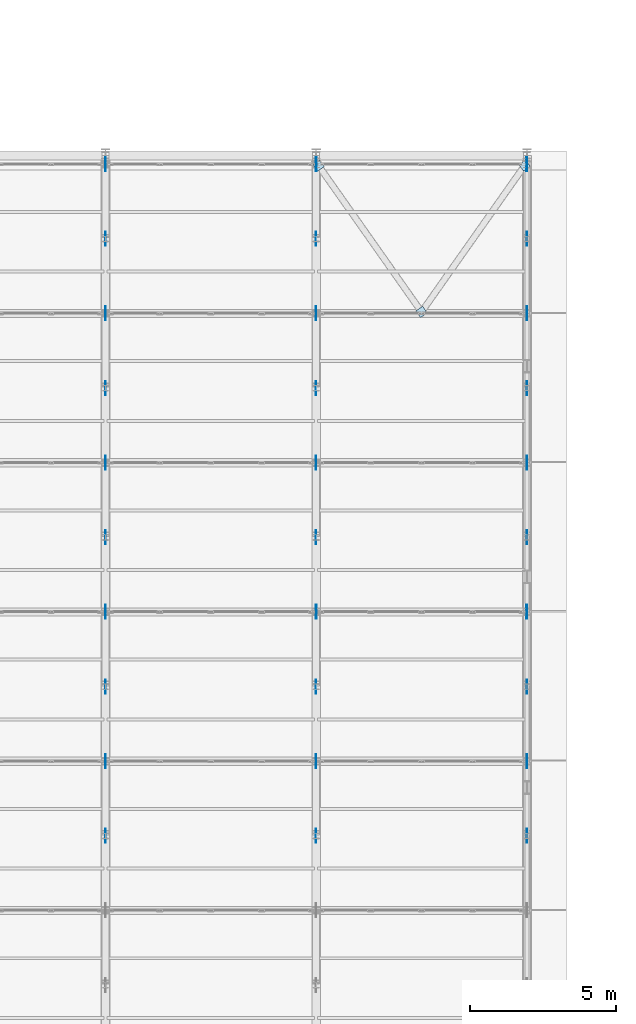
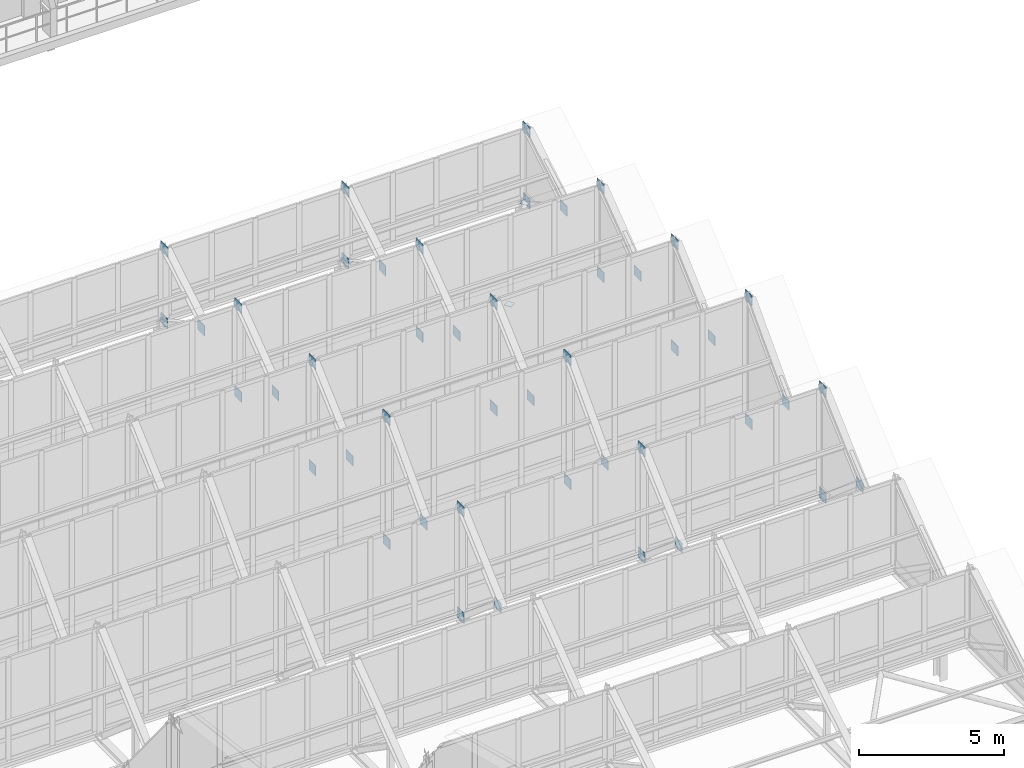
# One storey, part 111 of 157: 48 plates.
"""IFC4 building model written with IfcOpenShell, lengths in metres."""

from ifc_helpers import new_model, si_unit, direction, frame, origin, origin_2d, place, context, subcontext, project, spatial, rectangle, extrude, material, layer, layer_set, type_object, element, save


model = new_model("IFC4")

# Units and contexts
model_context = context("Model", 3, precision=1e-05, world=origin(), true_north=direction((0.0, 1.0)))
body_context = subcontext(model_context, "Body", "Model", "MODEL_VIEW")
ifc_project = project(units=[si_unit("LENGTHUNIT", "METRE"), si_unit("AREAUNIT", "SQUARE_METRE"), si_unit("VOLUMEUNIT", "CUBIC_METRE"), si_unit("PLANEANGLEUNIT", "RADIAN"), si_unit("MASSUNIT", "GRAM", prefix="KILO")], contexts=[model_context])

# Site, building, storey
site_placement = place(None, origin())
site = spatial("IfcSite", under=ifc_project, at=site_placement, CompositionType="ELEMENT")
building_placement = place(site_placement, origin())
building = spatial("IfcBuilding", under=site, at=building_placement, Name="Suanplinth Sawtooth Commons", CompositionType="ELEMENT")
storey_placement = place(building_placement, frame((0.0, 0.0, 9.0)))
storey = spatial("IfcBuildingStorey", under=building, at=storey_placement, Name="L02", CompositionType="ELEMENT", Elevation=9.0)

# Plates
ifc_material = material(Name="Steel S355JR", Category="steel")
ifc_layer_1 = layer(ifc_material, 0.02001953125, Name="Sawtooth truss chord gusset plate 20mm")
ifc_layer_set_1 = layer_set([ifc_layer_1], Name="Steel S355JR")
plate_type_1 = type_object("IfcPlateType", Name="PL-01", PredefinedType="USERDEFINED", material=ifc_layer_set_1)
for number, where, z_axis, x_axis, name in (
    (1, (100.800048828125, 65.699951171875, 7.02001953125), (0.0, 0.0, 1.0), (1.0, 0.0, 0.0), "Truss T6 Crest Gusset 3"),
    (2, (100.800048828125, 63.14990234375, 4.53515625), (0.0, 0.0, 1.0), (1.0, 0.0, 0.0), "Truss T6 Mid-Chord Gusset 3"),
    (3, (100.800048828125, 65.699951171875, 2.56005859375), (0.0, 0.0, 1.0), (1.0, 0.0, 0.0), "Truss T6 Valley Gusset 3"),
    (4, (100.800048828125, 68.25, 4.91015625), (0.0, 0.0, 1.0), (1.0, 0.0, 0.0), "Truss T6 Mid-Chord Gusset 4"),
    (5, (100.800048828125, 70.800048828125, 2.56005859375), (0.0, 0.0, 1.0), (1.0, 0.0, 0.0), "Truss T6 Valley Gusset 4"),
    (6, (100.800048828125, 75.89990234375, 7.02001953125), (0.0, 0.0, 1.0), (1.0, 0.0, 0.0), "Truss T6 Crest Gusset 5"),
    (7, (100.800048828125, 73.35009765625, 4.53515625), (0.0, 0.0, 1.0), (1.0, 0.0, 0.0), "Truss T6 Mid-Chord Gusset 5"),
    (8, (100.800048828125, 75.89990234375, 2.56005859375), (0.0, 0.0, 1.0), (1.0, 0.0, 0.0), "Truss T6 Valley Gusset 5"),
    (9, (100.800048828125, 81.0, 6.27001953125), (0.0, 0.0, 1.0), (1.0, 0.0, 0.0), "Truss T6 Crest Gusset 6"),
    (10, (100.800048828125, 78.449951171875, 4.16015625), (0.0, 0.0, 1.0), (1.0, 0.0, 0.0), "Truss T6 Mid-Chord Gusset 6"),
    (11, (100.800048828125, 81.0, 2.56005859375), (0.0, 0.0, 1.0), (1.0, 0.0, 0.0), "Truss T6 Valley Gusset 6"),
    (12, (100.800048828125, 83.550048828125, 3.81005859375), (0.0, 0.0, 1.0), (1.0, 0.0, 0.0), "Truss T6 Mid-Chord Gusset 7"),
    (13, (100.800048828125, 86.10009765625, 2.56005859375), (0.0, 0.0, 1.0), (1.0, 0.0, 0.0), "Truss T6 Valley Gusset 7"),
    (14, (108.0, 65.699951171875, 7.02001953125), (0.0, 0.0, 1.0), (1.0, 0.0, 0.0), "Truss T7 Crest Gusset 3"),
    (15, (108.0, 63.14990234375, 4.53515625), (0.0, 0.0, 1.0), (1.0, 0.0, 0.0), "Truss T7 Mid-Chord Gusset 3"),
    (16, (108.0, 65.699951171875, 2.56005859375), (0.0, 0.0, 1.0), (1.0, 0.0, 0.0), "Truss T7 Valley Gusset 3"),
    (17, (108.0, 68.25, 4.91015625), (0.0, 0.0, 1.0), (1.0, 0.0, 0.0), "Truss T7 Mid-Chord Gusset 4"),
    (18, (108.0, 70.800048828125, 2.56005859375), (0.0, 0.0, 1.0), (1.0, 0.0, 0.0), "Truss T7 Valley Gusset 4"),
    (19, (108.0, 75.89990234375, 7.02001953125), (0.0, 0.0, 1.0), (1.0, 0.0, 0.0), "Truss T7 Crest Gusset 5"),
    (20, (108.0, 73.35009765625, 4.53515625), (0.0, 0.0, 1.0), (1.0, 0.0, 0.0), "Truss T7 Mid-Chord Gusset 5"),
    (21, (108.0, 75.89990234375, 2.56005859375), (0.0, 0.0, 1.0), (1.0, 0.0, 0.0), "Truss T7 Valley Gusset 5"),
    (22, (108.0, 81.0, 6.27001953125), (0.0, 0.0, 1.0), (1.0, 0.0, 0.0), "Truss T7 Crest Gusset 6"),
    (23, (108.0, 78.449951171875, 4.16015625), (0.0, 0.0, 1.0), (1.0, 0.0, 0.0), "Truss T7 Mid-Chord Gusset 6"),
    (24, (108.0, 81.0, 2.56005859375), (0.0, 0.0, 1.0), (1.0, 0.0, 0.0), "Truss T7 Valley Gusset 6"),
    (25, (108.0, 83.550048828125, 3.81005859375), (0.0, 0.0, 1.0), (1.0, 0.0, 0.0), "Truss T7 Mid-Chord Gusset 7"),
    (26, (108.0, 86.10009765625, 2.56005859375), (0.0, 0.0, 1.0), (1.0, 0.0, 0.0), "Truss T7 Valley Gusset 7"),
    (27, (115.199951171875, 65.699951171875, 7.02001953125), (0.0, 0.0, 1.0), (1.0, 0.0, 0.0), "Truss T8 Crest Gusset 3"),
    (28, (115.199951171875, 63.14990234375, 4.53515625), (0.0, 0.0, 1.0), (1.0, 0.0, 0.0), "Truss T8 Mid-Chord Gusset 3"),
    (29, (115.199951171875, 65.699951171875, 2.56005859375), (0.0, 0.0, 1.0), (1.0, 0.0, 0.0), "Truss T8 Valley Gusset 3"),
    (30, (115.199951171875, 68.25, 4.91015625), (0.0, 0.0, 1.0), (1.0, 0.0, 0.0), "Truss T8 Mid-Chord Gusset 4"),
    (31, (115.199951171875, 70.800048828125, 2.56005859375), (0.0, 0.0, 1.0), (1.0, 0.0, 0.0), "Truss T8 Valley Gusset 4"),
    (32, (115.199951171875, 75.89990234375, 7.02001953125), (0.0, 0.0, 1.0), (1.0, 0.0, 0.0), "Truss T8 Crest Gusset 5"),
    (33, (115.199951171875, 73.35009765625, 4.53515625), (0.0, 0.0, 1.0), (1.0, 0.0, 0.0), "Truss T8 Mid-Chord Gusset 5"),
    (34, (115.199951171875, 75.89990234375, 2.56005859375), (0.0, 0.0, 1.0), (1.0, 0.0, 0.0), "Truss T8 Valley Gusset 5"),
    (35, (115.199951171875, 81.0, 6.27001953125), (0.0, 0.0, 1.0), (1.0, 0.0, 0.0), "Truss T8 Crest Gusset 6"),
    (36, (115.199951171875, 78.449951171875, 4.16015625), (0.0, 0.0, 1.0), (1.0, 0.0, 0.0), "Truss T8 Mid-Chord Gusset 6"),
    (37, (115.199951171875, 81.0, 2.56005859375), (0.0, 0.0, 1.0), (1.0, 0.0, 0.0), "Truss T8 Valley Gusset 6"),
    (38, (115.199951171875, 83.550048828125, 3.81005859375), (0.0, 0.0, 1.0), (1.0, 0.0, 0.0), "Truss T8 Mid-Chord Gusset 7"),
    (39, (115.199951171875, 86.10009765625, 2.56005859375), (0.0, 0.0, 1.0), (1.0, 0.0, 0.0), "Truss T8 Valley Gusset 7"),
):
    element("IfcPlate", number, at=place(storey_placement, frame(where, z_axis=z_axis, x_axis=x_axis)), inside=storey, type_object=plate_type_1, Name=name, ObjectType="GUSSET PLATE", PredefinedType="USERDEFINED", context=body_context, shape_type="SweptSolid", body=[
        extrude(rectangle(XDim=0.02001953125, YDim=0.47998046875, at=origin_2d()), origin(), (0.0, 0.0, 1.0), 0.419921875),
    ])
ifc_layer_2 = layer(ifc_material, 0.030029296875, Name="Sawtooth truss support bearing gusset plate 30mm")
ifc_layer_set_2 = layer_set([ifc_layer_2], Name="Steel S355JR")
plate_type_2 = type_object("IfcPlateType", Name="PL-02", PredefinedType="USERDEFINED", material=ifc_layer_set_2)
for number, where, z_axis, x_axis, name in (
    (40, (100.800048828125, 70.800048828125, 7.77001953125), (0.0, 0.0, 1.0), (1.0, 0.0, 0.0), "Truss T6 Crest Gusset 4"),
    (41, (100.800048828125, 86.10009765625, 5.570068359375), (0.0, 0.0, 1.0), (1.0, 0.0, 0.0), "Truss T6 Crest Gusset 7"),
    (42, (108.0, 70.800048828125, 7.77001953125), (0.0, 0.0, 1.0), (1.0, 0.0, 0.0), "Truss T7 Crest Gusset 4"),
    (43, (108.0, 86.10009765625, 5.570068359375), (0.0, 0.0, 1.0), (1.0, 0.0, 0.0), "Truss T7 Crest Gusset 7"),
    (44, (115.199951171875, 70.800048828125, 7.77001953125), (0.0, 0.0, 1.0), (1.0, 0.0, 0.0), "Truss T8 Crest Gusset 4"),
    (45, (115.199951171875, 86.10009765625, 5.570068359375), (0.0, 0.0, 1.0), (1.0, 0.0, 0.0), "Truss T8 Crest Gusset 7"),
):
    element("IfcPlate", number, at=place(storey_placement, frame(where, z_axis=z_axis, x_axis=x_axis)), inside=storey, type_object=plate_type_2, Name=name, ObjectType="GUSSET PLATE", PredefinedType="USERDEFINED", context=body_context, shape_type="SweptSolid", body=[
        extrude(rectangle(XDim=0.030029296875, YDim=0.47998046875, at=origin_2d()), origin(), (0.0, 0.0, 1.0), 0.419921875),
    ])
ifc_layer_3 = layer(ifc_material, 0.011962890625, Name="Tubular steel end-cap seal plate 12mm")
ifc_layer_set_3 = layer_set([ifc_layer_3], Name="Steel S355JR")
plate_type_3 = type_object("IfcPlateType", Name="PL-03", PredefinedType="USERDEFINED", material=ifc_layer_set_3)
for number, where, z_axis, x_axis, name in (
    (46, (108.080078125, 86.050048828125, 2.744140625), (0.0, 0.0, 1.0), (0.819152044289, 0.573576436351, 0.0), "Tubular Brace End Cap Plate 7-3-1"),
    (47, (111.60009765625, 81.050048828125, 2.744140625), (0.0, 0.0, 1.0), (0.819152044289, 0.573576436351, 0.0), "Tubular Brace End Cap Plate 7-3-2"),
    (48, (115.1201171875, 86.050048828125, 2.744140625), (0.0, 0.0, 1.0), (0.819152044289, 0.573576436351, 0.0), "Tubular Brace End Cap Plate 7-4-1"),
):
    element("IfcPlate", number, at=place(storey_placement, frame(where, z_axis=z_axis, x_axis=x_axis)), inside=storey, type_object=plate_type_3, Name=name, ObjectType="GUSSET PLATE", PredefinedType="USERDEFINED", context=body_context, shape_type="SweptSolid", body=[
        extrude(rectangle(XDim=0.280029296875, YDim=0.280029296875, at=origin_2d()), origin(), (0.0, 0.0, 1.0), 0.011962890625),
    ])

save(model, "model.ifc")
